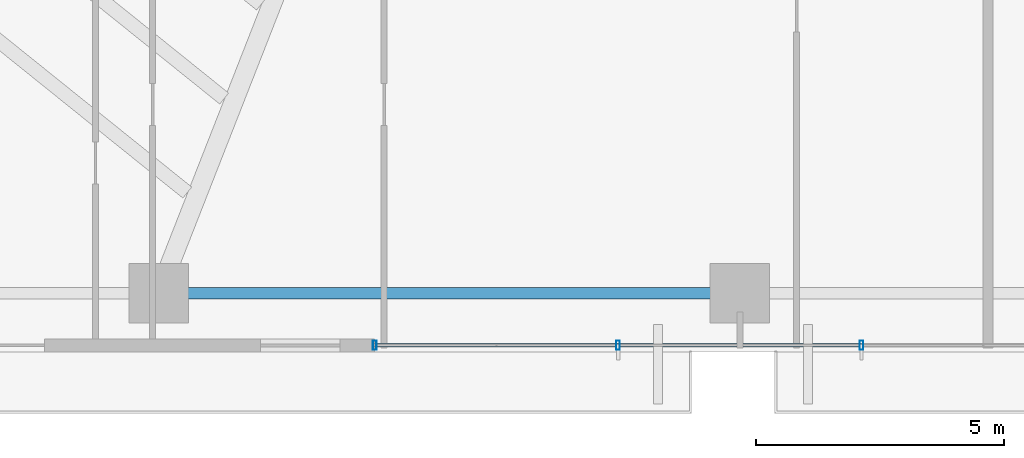
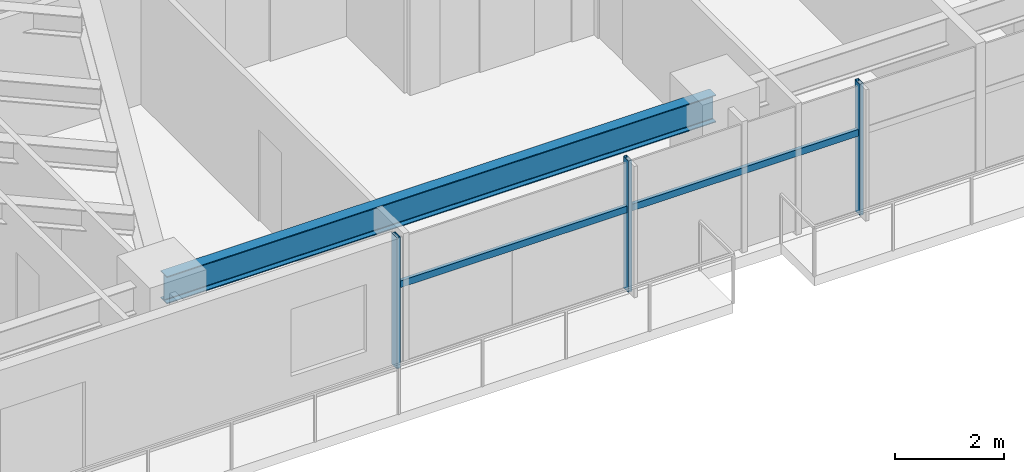
# One storey, part 6 of 25: 5 members, 1 beam, 1 element without a shape of its own.
"""IFC4 building model written with IfcOpenShell, lengths in metres."""

from ifc_helpers import new_model, si_unit, direction, frame, origin, origin_2d, place, context, subcontext, project, spatial, hollow_rectangle, i_section, extrude, source, transform, mapped, material, material_profile, profile_set, type_object, type_shapes, element, aggregate, save


model = new_model("IFC4")

# Units and contexts
model_context = context("Model", 3, precision=1e-05, world=origin(), true_north=direction((0.0, 1.0)))
body_context = subcontext(model_context, "Body", "Model", "MODEL_VIEW")
ifc_project = project(units=[si_unit("LENGTHUNIT", "METRE"), si_unit("AREAUNIT", "SQUARE_METRE"), si_unit("VOLUMEUNIT", "CUBIC_METRE"), si_unit("PLANEANGLEUNIT", "RADIAN"), si_unit("MASSUNIT", "GRAM", prefix="KILO")], contexts=[model_context])

# Site, building, storey
site_placement = place(None, origin())
site = spatial("IfcSite", under=ifc_project, at=site_placement, CompositionType="ELEMENT")
building_placement = place(site_placement, origin())
building = spatial("IfcBuilding", under=site, at=building_placement, Name="Astriad Promenade Condominiums", CompositionType="ELEMENT")
storey_placement = place(building_placement, frame((0.0, 0.0, 39.0)))
storey = spatial("IfcBuildingStorey", under=building, at=storey_placement, Name="L10", CompositionType="ELEMENT", Elevation=39.0)

# Beam
ifc_material_1 = material(Name="Steel ASTM A992 Grade 50", Category="steel")
ifc_material_profile_1 = material_profile(ifc_material_1, i_section(OverallWidth=0.22900390625, OverallDepth=0.612060546875, WebThickness=0.011962890625, FlangeThickness=0.01953125, FilletRadius=0.017822265625, at=origin_2d()), Name="W24X84")
ifc_profile_set_1 = profile_set([ifc_material_profile_1], Name="Steel ASTM A992 Grade 50")
beam_type = type_object("IfcBeamType", Name="STEEL SPANDREL BEAM W24X84", PredefinedType="SPANDREL", material=ifc_profile_set_1)
shared_shape_1 = source(origin(), body_context, "Body", "SweptSolid", [
    extrude(i_section(OverallWidth=0.22900390625, OverallDepth=0.612060546875, WebThickness=0.011962890625, FlangeThickness=0.01953125, FilletRadius=0.017822265625, at=origin_2d()), origin(), (0.0, 0.0, 1.0), 11.6201171875),
])
type_shapes(beam_type, [shared_shape_1])
beam_placement = place(storey_placement, frame((21.139892578125, 3.8798828125, 2.6337890625), z_axis=(1.0, 0.0, 0.0), x_axis=(0.0, 1.0, 0.0)))
element("IfcBeam", 1, at=beam_placement, inside=storey, type_object=beam_type, Name="Perimeter Spandrel Beam SP-S2-L10", PredefinedType="SPANDREL", context=body_context, shape_type="MappedRepresentation", body=[
    mapped(shared_shape_1, transform((0.0, 0.0, 0.0), scale=1.0)),
])

# Curtain wall, members
ifc_material_2 = material(Name="Anodised aluminium Black Dark Glass Unitised", Category="aluminium")
curtain_wall_type = type_object("IfcCurtainWallType", Name="CW-B1-DARK", PredefinedType="USERDEFINED", material=ifc_material_2)
curtain_wall_placement = place(storey_placement, origin())
curtain_wall = element("IfcCurtainWall", 2, at=curtain_wall_placement, inside=storey, type_object=curtain_wall_type, Name="CW-L10-S", ObjectType="UNITISED_CURTAIN_WALL", PredefinedType="USERDEFINED")
ifc_material_3 = material(Name="Anodised aluminium 6063-T6 Black", Category="aluminium")
ifc_material_profile_2 = material_profile(ifc_material_3, hollow_rectangle(XDim=0.074951171875, YDim=0.18505859375, WallThickness=0.00439453125, at=origin_2d()), Name="ALU-MUL-75X185")
ifc_profile_set_2 = profile_set([ifc_material_profile_2], Name="Anodised aluminium 6063-T6 Black")
member_type_1 = type_object("IfcMemberType", Name="MUL-ALU-MUL-75X185", PredefinedType="MULLION", material=ifc_profile_set_2)
shared_shape_2 = source(origin(), body_context, "Body", "SweptSolid", [
    extrude(hollow_rectangle(XDim=0.074951171875, YDim=0.18505859375, WallThickness=0.00439453125, at=origin_2d()), origin(), (0.0, 0.0, 1.0), 2.93994140625),
])
type_shapes(member_type_1, [shared_shape_2])
member_1_placement = place(storey_placement, frame((35.25, 2.830078125, 0.0), z_axis=(0.0, 0.0, 1.0), x_axis=(1.0, 0.0, 0.0)))
member_1 = element("IfcMember", 3, at=member_1_placement, type_object=member_type_1, Name="CW-L10-S-MUL-01", PredefinedType="MULLION", context=body_context, shape_type="MappedRepresentation", body=[
    mapped(shared_shape_2, transform((0.0, 0.0, 0.0), scale=1.0)),
])
member_2_placement = place(storey_placement, frame((30.35009765625, 2.830078125, 0.0), z_axis=(0.0, 0.0, 1.0), x_axis=(1.0, 0.0, 0.0)))
member_2 = element("IfcMember", 4, at=member_2_placement, type_object=member_type_1, Name="CW-L10-S-MUL-02", PredefinedType="MULLION", context=body_context, shape_type="MappedRepresentation", body=[
    mapped(shared_shape_2, transform((0.0, 0.0, 0.0), scale=1.0)),
])
member_3_placement = place(storey_placement, frame((25.449951171875, 2.830078125, 0.0), z_axis=(0.0, 0.0, 1.0), x_axis=(1.0, 0.0, 0.0)))
member_3 = element("IfcMember", 5, at=member_3_placement, type_object=member_type_1, Name="CW-L10-S-MUL-03", PredefinedType="MULLION", context=body_context, shape_type="MappedRepresentation", body=[
    mapped(shared_shape_2, transform((0.0, 0.0, 0.0), scale=1.0)),
])
ifc_material_profile_3 = material_profile(ifc_material_3, hollow_rectangle(XDim=0.074951171875, YDim=0.14990234375, WallThickness=0.004150390625, at=origin_2d()), Name="ALU-TRN-75X150")
ifc_profile_set_3 = profile_set([ifc_material_profile_3], Name="Anodised aluminium 6063-T6 Black")
member_type_2 = type_object("IfcMemberType", Name="TRN-ALU-TRN-75X150", PredefinedType="USERDEFINED", material=ifc_profile_set_3)
shared_shape_3 = source(origin(), body_context, "Body", "SweptSolid", [
    extrude(hollow_rectangle(XDim=0.074951171875, YDim=0.14990234375, WallThickness=0.004150390625, at=origin_2d()), origin(), (0.0, 0.0, 1.0), 4.900146484375),
])
member_4_placement = place(storey_placement, frame((30.35009765625, 2.830078125, 1.82275390625), z_axis=(-1.0, 0.0, 0.0), x_axis=(0.0, -1.0, 0.0)))
member_4 = element("IfcMember", 6, at=member_4_placement, type_object=member_type_2, Name="CW-L10-S-TRN-02-0", ObjectType="TRANSOM", PredefinedType="USERDEFINED", context=body_context, shape_type="MappedRepresentation", body=[
    mapped(shared_shape_3, transform((0.0, 0.0, 0.0), scale=1.0)),
])
shared_shape_4 = source(origin(), body_context, "Body", "SweptSolid", [
    extrude(hollow_rectangle(XDim=0.074951171875, YDim=0.14990234375, WallThickness=0.004150390625, at=origin_2d()), origin(), (0.0, 0.0, 1.0), 4.89990234375),
])
type_shapes(member_type_2, [shared_shape_3, shared_shape_4])
member_5_placement = place(storey_placement, frame((35.25, 2.830078125, 1.82275390625), z_axis=(-1.0, 0.0, 0.0), x_axis=(0.0, -1.0, 0.0)))
member_5 = element("IfcMember", 7, at=member_5_placement, type_object=member_type_2, Name="CW-L10-S-TRN-01-0", ObjectType="TRANSOM", PredefinedType="USERDEFINED", context=body_context, shape_type="MappedRepresentation", body=[
    mapped(shared_shape_4, transform((0.0, 0.0, 0.0), scale=1.0)),
])
aggregate(curtain_wall, [member_1, member_2, member_3, member_5, member_4])

save(model, "model.ifc")
